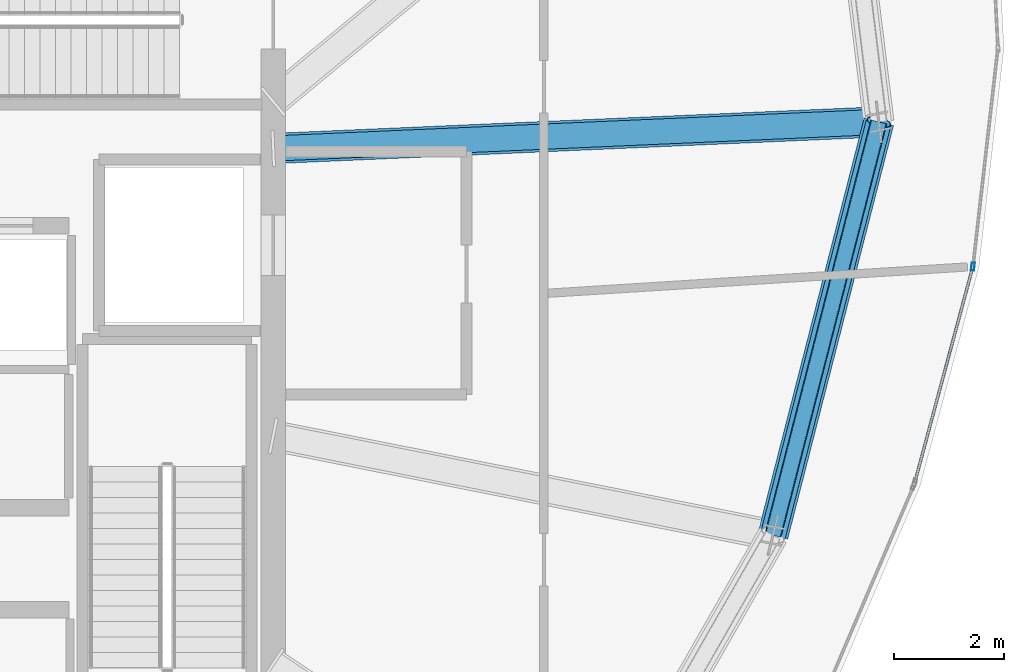
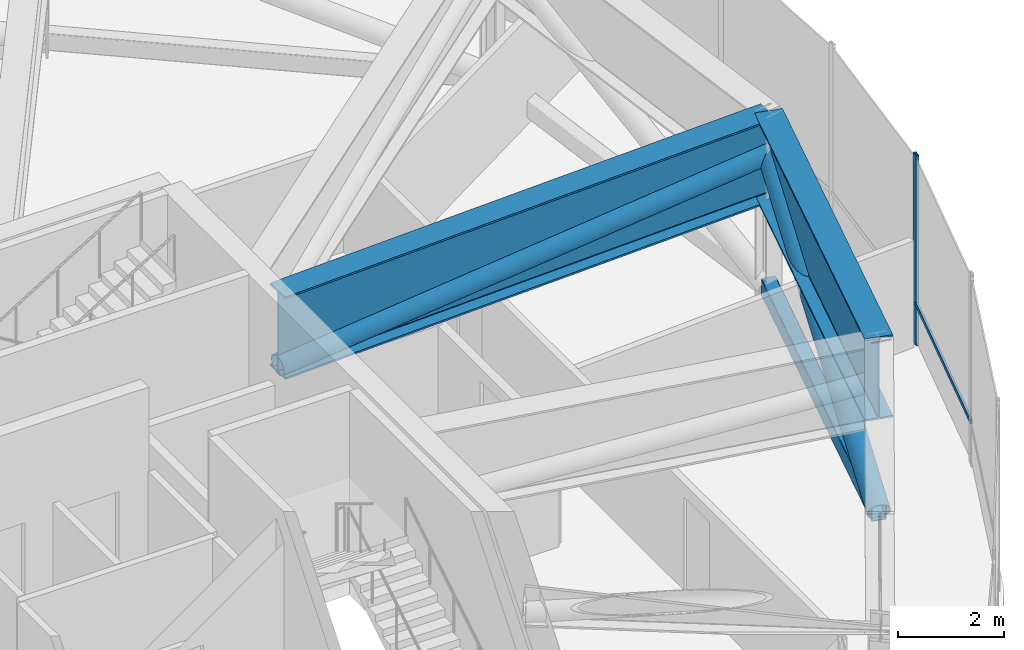
# One storey, part 12 of 26: 5 members, 2 beams, 1 element without a shape of its own.
"""IFC4 building model written with IfcOpenShell, lengths in metres."""

from ifc_helpers import new_model, si_unit, direction, frame, origin, origin_2d, place, context, subcontext, project, spatial, hollow_rectangle, hollow_circle, i_section, extrude, source, transform, mapped, material, layer, layer_set, material_profile, profile_set, type_object, element, aggregate, save


model = new_model("IFC4")

# Units and contexts
model_context = context("Model", 3, precision=1e-05, world=origin(), true_north=direction((0.0, 1.0)))
body_context = subcontext(model_context, "Body", "Model", "MODEL_VIEW")
ifc_project = project(units=[si_unit("LENGTHUNIT", "METRE"), si_unit("AREAUNIT", "SQUARE_METRE"), si_unit("VOLUMEUNIT", "CUBIC_METRE"), si_unit("PLANEANGLEUNIT", "RADIAN"), si_unit("MASSUNIT", "GRAM", prefix="KILO"), si_unit("THERMODYNAMICTEMPERATUREUNIT", "KELVIN")], contexts=[model_context])

# Site, building, storey
site_placement = place(None, origin())
site = spatial("IfcSite", under=ifc_project, at=site_placement, CompositionType="ELEMENT")
building_placement = place(site_placement, origin())
building = spatial("IfcBuilding", under=site, at=building_placement, Name="Kethvar Cultural Tower", CompositionType="ELEMENT")
storey_placement = place(building_placement, frame((0.0, 0.0, 223.60009765625)))
storey = spatial("IfcBuildingStorey", under=building, at=storey_placement, Name="L58", CompositionType="ELEMENT", Elevation=223.60009765625)

# Beam
ifc_material_1 = material(Name="Steel S460M", Category="steel")
ifc_material_profile_1 = material_profile(ifc_material_1, i_section(OverallWidth=0.550048828125, OverallDepth=1.89990234375, WebThickness=0.02490234375, FlangeThickness=0.0400390625, FilletRadius=0.02001953125, at=origin_2d()), Name="Steel S460M — PG1900x550x40x25")
ifc_profile_set_1 = profile_set([ifc_material_profile_1], Name="Steel S460M — PG1900x550x40x25")
beam_type = type_object("IfcBeamType", Name="BM-TR1900", PredefinedType="BEAM", material=ifc_profile_set_1)
shared_shape_1 = source(origin(), body_context, "Body", "SweptSolid", [
    extrude(i_section(OverallWidth=0.550048828125, OverallDepth=1.89990234375, WebThickness=0.02490234375, FlangeThickness=0.0400390625, FilletRadius=0.02001953125, at=origin_2d()), origin(), (0.0, 0.0, 1.0), 10.974365234375),
])
beam_1_placement = place(storey_placement, frame((55.60009765625, 31.25, 3.427978515625), z_axis=(0.999038235064, 0.043847518511, 0.0), x_axis=(-0.043847518511, 0.999038235064, 0.0)))
element("IfcBeam", 1, at=beam_1_placement, inside=storey, type_object=beam_type, Name="L58 Outrigger Transfer Girder OG-01", PredefinedType="BEAM", context=body_context, shape_type="MappedRepresentation", body=[
    mapped(shared_shape_1, transform((0.0, 0.0, 0.0), scale=1.0)),
])

# Member
ifc_material_2 = material(Name="Steel S355J2", Category="steel")
ifc_material_profile_2 = material_profile(ifc_material_2, hollow_circle(Radius=0.228515625, WallThickness=0.01611328125, at=origin_2d()), Name="Steel S355J2 — CHS457x16")
ifc_profile_set_2 = profile_set([ifc_material_profile_2], Name="Steel S355J2 — CHS457x16")
member_type_1 = type_object("IfcMemberType", Name="MB-OUT-457", PredefinedType="BRACE", material=ifc_profile_set_2)
shared_shape_2 = source(origin(), body_context, "Body", "SweptSolid", [
    extrude(hollow_circle(Radius=0.228515625, WallThickness=0.01611328125, at=origin_2d()), origin(), (0.0, 0.0, 1.0), 11.001953125),
])
member_1_placement = place(storey_placement, frame((55.60009765625, 31.25, 2.64990234375), z_axis=(0.996536740868, 0.043737728606, 0.070721532759), x_axis=(-0.043847518511, 0.999038235064, 0.0)))
element("IfcMember", 2, at=member_1_placement, inside=storey, type_object=member_type_1, Name="L58 Outrigger Truss Diagonal OB-01", PredefinedType="BRACE", context=body_context, shape_type="MappedRepresentation", body=[
    mapped(shared_shape_2, transform((0.0, 0.0, 0.0), scale=1.0)),
])

# Beam
shared_shape_3 = source(origin(), body_context, "Body", "SweptSolid", [
    extrude(i_section(OverallWidth=0.550048828125, OverallDepth=1.89990234375, WebThickness=0.02490234375, FlangeThickness=0.0400390625, FilletRadius=0.02001953125, at=origin_2d()), origin(), (0.0, 0.0, 1.0), 7.72265625),
])
beam_2_placement = place(storey_placement, frame((64.648681640625, 24.249755859375, 3.427978515625), z_axis=(0.248006445258, 0.968758382214, 0.0), x_axis=(-0.968758382214, 0.248006445258, 0.0)))
element("IfcBeam", 3, at=beam_2_placement, inside=storey, type_object=beam_type, Name="L58 Ring Belt Girder BG-16", PredefinedType="BEAM", context=body_context, shape_type="MappedRepresentation", body=[
    mapped(shared_shape_3, transform((0.0, 0.0, 0.0), scale=1.0)),
])

# Members
ifc_material_profile_3 = material_profile(ifc_material_1, hollow_rectangle(XDim=0.300048828125, YDim=0.39990234375, WallThickness=0.01611328125, InnerFilletRadius=0.01611328125, OuterFilletRadius=0.031982421875, at=origin_2d()), Name="Steel S460M — RHS400x300x16")
ifc_profile_set_3 = profile_set([ifc_material_profile_3], Name="Steel S460M — RHS400x300x16")
member_type_2 = type_object("IfcMemberType", Name="MB-CHD-400", PredefinedType="CHORD", material=ifc_profile_set_3)
shared_shape_4 = source(origin(), body_context, "Body", "SweptSolid", [
    extrude(hollow_rectangle(XDim=0.300048828125, YDim=0.39990234375, WallThickness=0.01611328125, InnerFilletRadius=0.01611328125, OuterFilletRadius=0.031982421875, at=origin_2d()), origin(), (0.0, 0.0, 1.0), 7.72265625),
])
member_2_placement = place(storey_placement, frame((64.648681640625, 24.249755859375, 0.349853515625), z_axis=(0.248006445258, 0.968758382214, 0.0), x_axis=(-0.968758382214, 0.248006445258, 0.0)))
element("IfcMember", 4, at=member_2_placement, inside=storey, type_object=member_type_2, Name="L58 Ring Belt Bottom Chord BC-16", PredefinedType="CHORD", context=body_context, shape_type="MappedRepresentation", body=[
    mapped(shared_shape_4, transform((0.0, 0.0, 0.0), scale=1.0)),
])
shared_shape_5 = source(origin(), body_context, "Body", "SweptSolid", [
    extrude(hollow_circle(Radius=0.228515625, WallThickness=0.01611328125, at=origin_2d()), origin(), (0.0, 0.0, 1.0), 8.3134765625),
])
member_3_placement = place(storey_placement, frame((64.648681640625, 24.249755859375, 0.349853515625), z_axis=(0.230380785945, 0.899909344104, 0.370253785748), x_axis=(-0.968758382214, 0.248006445258, 0.0)))
element("IfcMember", 5, at=member_3_placement, inside=storey, type_object=member_type_1, Name="L58 Ring Belt Diagonal BD-16", PredefinedType="BRACE", context=body_context, shape_type="MappedRepresentation", body=[
    mapped(shared_shape_5, transform((0.0, 0.0, 0.0), scale=1.0)),
])

# Curtain wall, members
ifc_material_3 = material(Name="Aluminium 6063-T6", Category="aluminium")
ifc_layer = layer(ifc_material_3, 0.179931640625, Name="Aluminium 6063-T6", Category="aluminium")
ifc_layer_set = layer_set([ifc_layer], Name="Aluminium 6063-T6 (180 mm)")
curtain_wall_type = type_object("IfcCurtainWallType", Name="CW-SYS-04-Z34", PredefinedType="NOTDEFINED", material=ifc_layer_set)
curtain_wall_placement = place(storey_placement, origin())
curtain_wall = element("IfcCurtainWall", 6, at=curtain_wall_placement, inside=storey, type_object=curtain_wall_type, Name="L58 Curtain Wall Run 06", PredefinedType="NOTDEFINED")
ifc_material_profile_4 = material_profile(ifc_material_3, hollow_rectangle(XDim=0.06005859375, YDim=0.139892578125, WallThickness=0.0048828125, at=origin_2d()), Name="Aluminium 6063-T6 — RHS140x60x5")
ifc_profile_set_4 = profile_set([ifc_material_profile_4], Name="Aluminium 6063-T6 — RHS140x60x5")
member_type_3 = type_object("IfcMemberType", Name="CW-SYS-04-Z34-MUL", PredefinedType="MULLION", material=ifc_profile_set_4)
shared_shape_6 = source(origin(), body_context, "Body", "SweptSolid", [
    extrude(hollow_rectangle(XDim=0.06005859375, YDim=0.139892578125, WallThickness=0.0048828125, at=origin_2d()), origin(), (0.0, 0.0, 1.0), 4.3798828125),
])
member_4_placement = place(storey_placement, frame((68.268310546875, 29.113037109375, 0.0), z_axis=(0.0, 0.0, 1.0), x_axis=(-0.9935540615, 0.113359282273, 0.0)))
member_4 = element("IfcMember", 7, at=member_4_placement, type_object=member_type_3, Name="CW-L58-R06 Mullion 2", PredefinedType="MULLION", context=body_context, shape_type="MappedRepresentation", body=[
    mapped(shared_shape_6, transform((0.0, 0.0, 0.0), scale=1.0)),
])
ifc_material_profile_5 = material_profile(ifc_material_3, hollow_rectangle(XDim=0.050048828125, YDim=0.10009765625, WallThickness=0.00390625, at=origin_2d()), Name="Aluminium 6063-T6 — RHS100x50x4")
ifc_profile_set_5 = profile_set([ifc_material_profile_5], Name="Aluminium 6063-T6 — RHS100x50x4")
member_type_4 = type_object("IfcMemberType", Name="CW-SYS-04-Z34-TRN", PredefinedType="USERDEFINED", material=ifc_profile_set_5)
shared_shape_7 = source(origin(), body_context, "Body", "SweptSolid", [
    extrude(hollow_rectangle(XDim=0.050048828125, YDim=0.10009765625, WallThickness=0.00390625, at=origin_2d()), origin(), (0.0, 0.0, 1.0), 4.020263671875),
])
member_5_placement = place(storey_placement, frame((67.21533203125, 25.205322265625, 0.949951171875), z_axis=(0.259858045206, 0.965646827956, 0.0), x_axis=(-0.965646827956, 0.259858045206, 0.0)))
member_5 = element("IfcMember", 8, at=member_5_placement, type_object=member_type_4, Name="CW-L58-R06 Transom 1", ObjectType="TRANSOM", PredefinedType="USERDEFINED", context=body_context, shape_type="MappedRepresentation", body=[
    mapped(shared_shape_7, transform((0.0, 0.0, 0.0), scale=1.0)),
])
aggregate(curtain_wall, [member_4, member_5])

save(model, "model.ifc")
